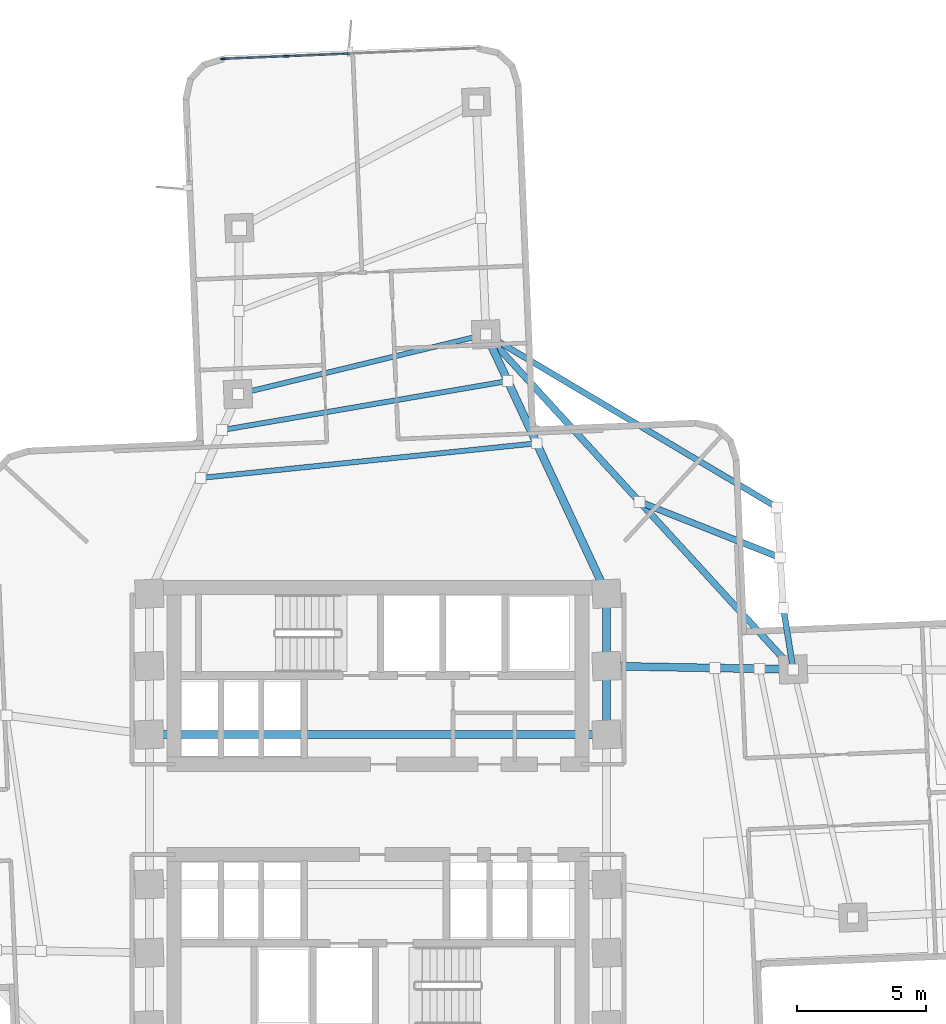
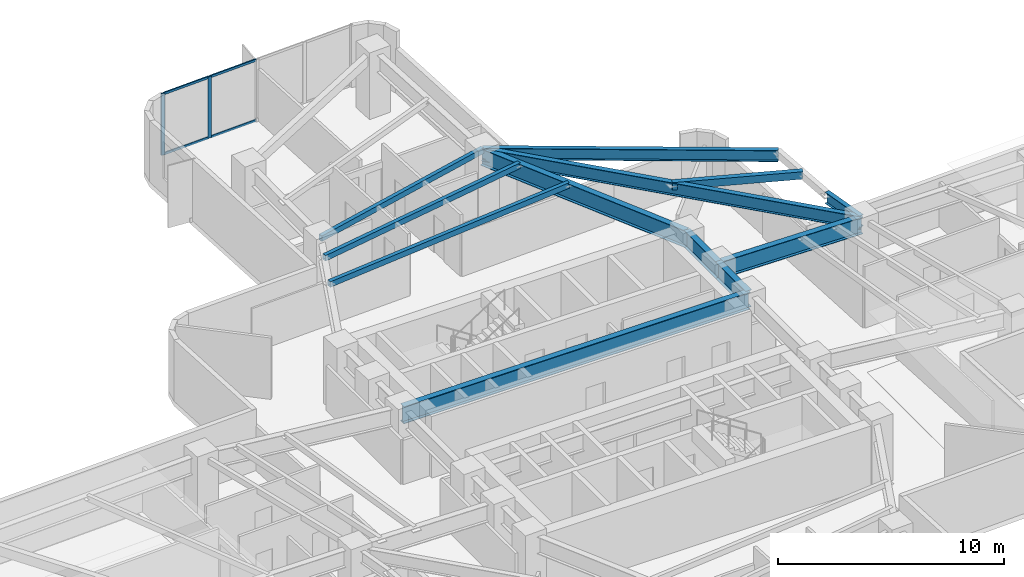
# One storey, part 5 of 15: 12 beams, 6 members, 1 element without a shape of its own.
"""IFC4 building model written with IfcOpenShell, lengths in metres."""

from ifc_helpers import new_model, si_unit, direction, frame, origin, origin_2d, place, context, subcontext, project, spatial, rectangle, hollow_rectangle, i_section, extrude, material, layer, layer_set, material_profile, profile_set, type_object, element, aggregate, save


model = new_model("IFC4")

# Units and contexts
model_context = context("Model", 3, precision=1e-05, world=origin(), true_north=direction((0.0, 1.0)))
body_context = subcontext(model_context, "Body", "Model", "MODEL_VIEW")
ifc_project = project(units=[si_unit("LENGTHUNIT", "METRE"), si_unit("AREAUNIT", "SQUARE_METRE"), si_unit("VOLUMEUNIT", "CUBIC_METRE"), si_unit("PLANEANGLEUNIT", "RADIAN"), si_unit("MASSUNIT", "GRAM", prefix="KILO")], contexts=[model_context])

# Site, building, storey
site_placement = place(None, origin())
site = spatial("IfcSite", under=ifc_project, at=site_placement, CompositionType="ELEMENT")
building_placement = place(site_placement, origin())
building = spatial("IfcBuilding", under=site, at=building_placement, Name="Solmarez Civic Tower", CompositionType="ELEMENT")
storey_placement = place(building_placement, frame((0.0, 0.0, 46.080078125)))
storey = spatial("IfcBuildingStorey", under=building, at=storey_placement, Name="L11", CompositionType="ELEMENT", Elevation=46.080078125)

# Beams
ifc_material_1 = material(Name="Steel S355", Category="steel")
ifc_material_profile_1 = material_profile(ifc_material_1, hollow_rectangle(XDim=0.199951171875, YDim=0.300048828125, WallThickness=0.011962890625, at=origin_2d()), Name="HSS300X200X12")
ifc_profile_set_1 = profile_set([ifc_material_profile_1], Name="Steel S355")
beam_type_1 = type_object("IfcBeamType", Name="BM-JS-HSS300X200", PredefinedType="JOIST", material=ifc_profile_set_1)
beam_1_placement = place(storey_placement, frame((4.18408203125, 18.39111328125, 3.169921875), z_axis=(-0.97215737271, -0.234328919867, 0.0), x_axis=(0.234328919867, -0.97215737271, 0.0)))
element("IfcBeam", 1, at=beam_1_placement, inside=storey, type_object=beam_type_1, Name="L11 Secondary Floor Joist BM-L11-NA-T1", PredefinedType="JOIST", context=body_context, shape_type="SweptSolid", body=[
    extrude(hollow_rectangle(XDim=0.199951171875, YDim=0.300048828125, WallThickness=0.011962890625, at=origin_2d()), origin(), (0.0, 0.0, 1.0), 9.880126953125),
])
beam_2_placement = place(storey_placement, frame((6.14404296875, 14.174072265625, 3.169921875), z_axis=(-0.9947100999, -0.102722038325, 0.0), x_axis=(0.102722038325, -0.9947100999, 0.0)))
element("IfcBeam", 2, at=beam_2_placement, inside=storey, type_object=beam_type_1, Name="L11 Secondary Floor Joist JS-L11-NA-M11", PredefinedType="JOIST", context=body_context, shape_type="SweptSolid", body=[
    extrude(hollow_rectangle(XDim=0.199951171875, YDim=0.300048828125, WallThickness=0.011962890625, at=origin_2d()), origin(), (0.0, 0.0, 1.0), 13.07421875),
])
beam_3_placement = place(storey_placement, frame((5.02392578125, 16.583984375, 3.169921875), z_axis=(-0.985583934907, -0.169187195889, 0.0), x_axis=(0.169187195889, -0.985583934907, 0.0)))
element("IfcBeam", 3, at=beam_3_placement, inside=storey, type_object=beam_type_1, Name="L11 Secondary Floor Joist JS-L11-NA-M12", PredefinedType="JOIST", context=body_context, shape_type="SweptSolid", body=[
    extrude(hollow_rectangle(XDim=0.199951171875, YDim=0.300048828125, WallThickness=0.011962890625, at=origin_2d()), origin(), (0.0, 0.0, 1.0), 11.223876953125),
])
ifc_material_profile_2 = material_profile(ifc_material_1, i_section(OverallWidth=0.25390625, OverallDepth=0.68798828125, WebThickness=0.01318359375, FlangeThickness=0.02099609375, at=origin_2d()), Name="W27X102")
ifc_profile_set_2 = profile_set([ifc_material_profile_2], Name="Steel S355")
beam_type_2 = type_object("IfcBeamType", Name="BM-PR-W27X102", PredefinedType="BEAM", material=ifc_profile_set_2)
beam_4_placement = place(storey_placement, frame((16.075927734375, 5.4208984375, 2.975830078125), z_axis=(-0.6758012736, 0.737083874875, 0.0), x_axis=(-0.737083874875, -0.6758012736, 0.0)))
element("IfcBeam", 4, at=beam_4_placement, inside=storey, type_object=beam_type_2, Name="L11 Primary Floor Beam BM-L11-BALC-NEC", PredefinedType="BEAM", context=body_context, shape_type="SweptSolid", body=[
    extrude(i_section(OverallWidth=0.25390625, OverallDepth=0.68798828125, WebThickness=0.01318359375, FlangeThickness=0.02099609375, at=origin_2d()), origin(), (0.0, 0.0, 1.0), 17.5966796875),
])
ifc_material_profile_3 = material_profile(ifc_material_1, i_section(OverallWidth=0.303955078125, OverallDepth=0.910888671875, WebThickness=0.015869140625, FlangeThickness=0.02392578125, at=origin_2d()), Name="W36X150")
ifc_profile_set_3 = profile_set([ifc_material_profile_3], Name="Steel S355")
beam_type_3 = type_object("IfcBeamType", Name="BM-PR-W36X150", PredefinedType="BEAM", material=ifc_profile_set_3)
beam_5_placement = place(storey_placement, frame((8.85009765625, 5.550048828125, 2.864013671875), z_axis=(0.999840308455, -0.017870578882, 0.0), x_axis=(0.017870578882, 0.999840308455, 0.0)))
element("IfcBeam", 5, at=beam_5_placement, inside=storey, type_object=beam_type_3, Name="L11 Primary Floor Beam BM-L11-EA-R1B", PredefinedType="BEAM", context=body_context, shape_type="SweptSolid", body=[
    extrude(i_section(OverallWidth=0.303955078125, OverallDepth=0.910888671875, WebThickness=0.015869140625, FlangeThickness=0.02392578125, at=origin_2d()), origin(), (0.0, 0.0, 1.0), 7.22705078125),
])
beam_6_placement = place(storey_placement, frame((8.85009765625, 8.35009765625, 2.864013671875), z_axis=(-0.421417065364, 0.906866945599, 0.0), x_axis=(-0.906866945599, -0.421417065364, 0.0)))
element("IfcBeam", 6, at=beam_6_placement, inside=storey, type_object=beam_type_3, Name="L11 Primary Floor Beam BM-L11-NA-R1A", PredefinedType="BEAM", context=body_context, shape_type="SweptSolid", body=[
    extrude(i_section(OverallWidth=0.303955078125, OverallDepth=0.910888671875, WebThickness=0.015869140625, FlangeThickness=0.02392578125, at=origin_2d()), origin(), (0.0, 0.0, 1.0), 11.072265625),
])
ifc_material_profile_4 = material_profile(ifc_material_1, i_section(OverallWidth=0.306884765625, OverallDepth=0.927001953125, WebThickness=0.019287109375, FlangeThickness=0.031982421875, at=origin_2d()), Name="W36X194")
ifc_profile_set_4 = profile_set([ifc_material_profile_4], Name="Steel S355")
beam_type_4 = type_object("IfcBeamType", Name="BM-PR-W36X194", PredefinedType="BEAM", material=ifc_profile_set_4)
beam_7_placement = place(storey_placement, frame((8.85009765625, 2.89990234375, 2.85595703125), z_axis=(0.0, 1.0, 0.0), x_axis=(-1.0, 0.0, 0.0)))
element("IfcBeam", 7, at=beam_7_placement, inside=storey, type_object=beam_type_4, Name="L11 Primary Floor Beam BM-L11-HC7-HC8", PredefinedType="BEAM", context=body_context, shape_type="SweptSolid", body=[
    extrude(i_section(OverallWidth=0.306884765625, OverallDepth=0.927001953125, WebThickness=0.019287109375, FlangeThickness=0.031982421875, at=origin_2d()), origin(), (0.0, 0.0, 1.0), 2.650146484375),
])
beam_8_placement = place(storey_placement, frame((8.85009765625, 5.550048828125, 2.85595703125), z_axis=(0.0, 1.0, 0.0), x_axis=(-1.0, 0.0, 0.0)))
element("IfcBeam", 8, at=beam_8_placement, inside=storey, type_object=beam_type_4, Name="L11 Primary Floor Beam BM-L11-HC8-HC11", PredefinedType="BEAM", context=body_context, shape_type="SweptSolid", body=[
    extrude(i_section(OverallWidth=0.306884765625, OverallDepth=0.927001953125, WebThickness=0.019287109375, FlangeThickness=0.031982421875, at=origin_2d()), origin(), (0.0, 0.0, 1.0), 2.800048828125),
])
beam_9_placement = place(storey_placement, frame((-8.85009765625, 2.89990234375, 2.85595703125), z_axis=(1.0, 0.0, 0.0), x_axis=(0.0, 1.0, 0.0)))
element("IfcBeam", 9, at=beam_9_placement, inside=storey, type_object=beam_type_4, Name="L11 Primary Floor Beam BM-L11-HC3-HC7", PredefinedType="BEAM", context=body_context, shape_type="SweptSolid", body=[
    extrude(i_section(OverallWidth=0.306884765625, OverallDepth=0.927001953125, WebThickness=0.019287109375, FlangeThickness=0.031982421875, at=origin_2d()), origin(), (0.0, 0.0, 1.0), 17.7001953125),
])
ifc_material_profile_5 = material_profile(ifc_material_1, hollow_rectangle(XDim=0.25, YDim=0.39990234375, WallThickness=0.01611328125, at=origin_2d()), Name="HSS400X250X16")
ifc_profile_set_5 = profile_set([ifc_material_profile_5], Name="Steel S355")
beam_type_5 = type_object("IfcBeamType", Name="BM-SP-HSS400X250", PredefinedType="SPANDREL", material=ifc_profile_set_5)
beam_10_placement = place(storey_placement, frame((10.1298828125, 11.906005859375, 3.119873046875), z_axis=(0.929460285924, -0.368922182702, 0.0), x_axis=(0.368922182702, 0.929460285924, 0.0)))
element("IfcBeam", 10, at=beam_10_placement, inside=storey, type_object=beam_type_5, Name="L11 Perimeter Spandrel Beam BM-L11-BALC-NEM", PredefinedType="SPANDREL", context=body_context, shape_type="SweptSolid", body=[
    extrude(hollow_rectangle(XDim=0.25, YDim=0.39990234375, WallThickness=0.01611328125, at=origin_2d()), origin(), (0.0, 0.0, 1.0), 5.85205078125),
])
ifc_material_profile_6 = material_profile(ifc_material_1, i_section(OverallWidth=0.22900390625, OverallDepth=0.612060546875, WebThickness=0.011962890625, FlangeThickness=0.01953125, at=origin_2d()), Name="W24X84")
ifc_profile_set_6 = profile_set([ifc_material_profile_6], Name="Steel S355")
beam_type_6 = type_object("IfcBeamType", Name="BM-SP-W24X84", PredefinedType="SPANDREL", material=ifc_profile_set_6)
beam_11_placement = place(storey_placement, frame((16.075927734375, 5.4208984375, 3.013916015625), z_axis=(-0.159684490548, 0.987168102948, 0.0), x_axis=(-0.987168102948, -0.159684490548, 0.0)))
element("IfcBeam", 11, at=beam_11_placement, inside=storey, type_object=beam_type_6, Name="L11 Perimeter Spandrel Beam BM-L11-BALC-NE1", PredefinedType="SPANDREL", context=body_context, shape_type="SweptSolid", body=[
    extrude(i_section(OverallWidth=0.22900390625, OverallDepth=0.612060546875, WebThickness=0.011962890625, FlangeThickness=0.01953125, at=origin_2d()), origin(), (0.0, 0.0, 1.0), 2.4111328125),
])
beam_12_placement = place(storey_placement, frame((4.18408203125, 18.39111328125, 3.013916015625), z_axis=(0.859479031242, -0.511171003536, 0.0), x_axis=(0.511171003536, 0.859479031242, 0.0)))
element("IfcBeam", 12, at=beam_12_placement, inside=storey, type_object=beam_type_6, Name="L11 Perimeter Spandrel Beam BM-L11-BALC-NE2", PredefinedType="SPANDREL", context=body_context, shape_type="SweptSolid", body=[
    extrude(i_section(OverallWidth=0.22900390625, OverallDepth=0.612060546875, WebThickness=0.011962890625, FlangeThickness=0.01953125, at=origin_2d()), origin(), (0.0, 0.0, 1.0), 13.103271484375),
])

# Curtain wall, members
ifc_material_2 = material(Name="Bronze Anodised Aluminium EN AW-6063 T6", Category="aluminium")
ifc_layer = layer(ifc_material_2, 0.18505859375)
ifc_layer_set = layer_set([ifc_layer], Name="Bronze Anodised Aluminium EN AW-6063 T6")
curtain_wall_type = type_object("IfcCurtainWallType", Name="CW-SYS-2", PredefinedType="NOTDEFINED", material=ifc_layer_set)
curtain_wall_placement = place(storey_placement, origin())
curtain_wall = element("IfcCurtainWall", 13, at=curtain_wall_placement, inside=storey, type_object=curtain_wall_type, Name="L11 Stick-Built Curtain Wall 2", PredefinedType="NOTDEFINED")
ifc_material_profile_7 = material_profile(ifc_material_2, rectangle(XDim=0.070068359375, YDim=0.179931640625, at=origin_2d()), Name="CWM-70X180")
ifc_profile_set_7 = profile_set([ifc_material_profile_7], Name="Bronze Anodised Aluminium EN AW-6063 T6")
member_type_1 = type_object("IfcMemberType", Name="CWM-TYPE-2", PredefinedType="MULLION", material=ifc_profile_set_7)
member_1_placement = place(storey_placement, frame((-5.99609375, 29.054443359375, 0.0), z_axis=(0.0, 0.0, 1.0), x_axis=(-0.041856538832, 0.999123631067, 0.0)))
member_1 = element("IfcMember", 14, at=member_1_placement, type_object=member_type_1, Name="CWS2 mullion 1", PredefinedType="MULLION", context=body_context, shape_type="SweptSolid", body=[
    extrude(rectangle(XDim=0.070068359375, YDim=0.179931640625, at=origin_2d()), origin(), (0.0, 0.0, 1.0), 3.31982421875),
])
member_2_placement = place(storey_placement, frame((-3.548583984375, 29.156982421875, 0.0), z_axis=(0.0, 0.0, 1.0), x_axis=(-0.041856538832, 0.999123631067, 0.0)))
member_2 = element("IfcMember", 15, at=member_2_placement, type_object=member_type_1, Name="CWS2 mullion 2", PredefinedType="MULLION", context=body_context, shape_type="SweptSolid", body=[
    extrude(rectangle(XDim=0.070068359375, YDim=0.179931640625, at=origin_2d()), origin(), (0.0, 0.0, 1.0), 3.31982421875),
])
ifc_material_profile_8 = material_profile(ifc_material_2, rectangle(XDim=0.06494140625, YDim=0.125, at=origin_2d()), Name="CWT-65X125")
ifc_profile_set_8 = profile_set([ifc_material_profile_8], Name="Bronze Anodised Aluminium EN AW-6063 T6")
member_type_2 = type_object("IfcMemberType", Name="CWT-TYPE-2", PredefinedType="USERDEFINED", material=ifc_profile_set_8)
member_3_placement = place(storey_placement, frame((-5.961181640625, 29.055908203125, 0.032470703125), z_axis=(0.999123624155, 0.041856703836, 0.0), x_axis=(-0.041856703836, 0.999123624155, 0.0)))
member_3 = element("IfcMember", 16, at=member_3_placement, type_object=member_type_2, Name="CWS2 transom 1.1", ObjectType="TRANSOM", PredefinedType="USERDEFINED", context=body_context, shape_type="SweptSolid", body=[
    extrude(rectangle(XDim=0.06494140625, YDim=0.125, at=origin_2d()), origin(), (0.0, 0.0, 1.0), 2.3798828125),
])
member_4_placement = place(storey_placement, frame((-5.961181640625, 29.055908203125, 3.287353515625), z_axis=(0.999123624155, 0.041856703836, 0.0), x_axis=(-0.041856703836, 0.999123624155, 0.0)))
member_4 = element("IfcMember", 17, at=member_4_placement, type_object=member_type_2, Name="CWS2 transom 1.2", ObjectType="TRANSOM", PredefinedType="USERDEFINED", context=body_context, shape_type="SweptSolid", body=[
    extrude(rectangle(XDim=0.06494140625, YDim=0.125, at=origin_2d()), origin(), (0.0, 0.0, 1.0), 2.3798828125),
])
member_5_placement = place(storey_placement, frame((-3.513427734375, 29.158447265625, 0.032470703125), z_axis=(0.999123407911, 0.041861865284, 0.0), x_axis=(-0.041861865284, 0.999123407911, 0.0)))
member_5 = element("IfcMember", 18, at=member_5_placement, type_object=member_type_2, Name="CWS2 transom 2.1", ObjectType="TRANSOM", PredefinedType="USERDEFINED", context=body_context, shape_type="SweptSolid", body=[
    extrude(rectangle(XDim=0.06494140625, YDim=0.125, at=origin_2d()), origin(), (0.0, 0.0, 1.0), 2.41455078125),
])
member_6_placement = place(storey_placement, frame((-3.513427734375, 29.158447265625, 3.287353515625), z_axis=(0.999123407911, 0.041861865284, 0.0), x_axis=(-0.041861865284, 0.999123407911, 0.0)))
member_6 = element("IfcMember", 19, at=member_6_placement, type_object=member_type_2, Name="CWS2 transom 2.2", ObjectType="TRANSOM", PredefinedType="USERDEFINED", context=body_context, shape_type="SweptSolid", body=[
    extrude(rectangle(XDim=0.06494140625, YDim=0.125, at=origin_2d()), origin(), (0.0, 0.0, 1.0), 2.41455078125),
])
aggregate(curtain_wall, [member_1, member_2, member_3, member_4, member_5, member_6])

save(model, "model.ifc")
